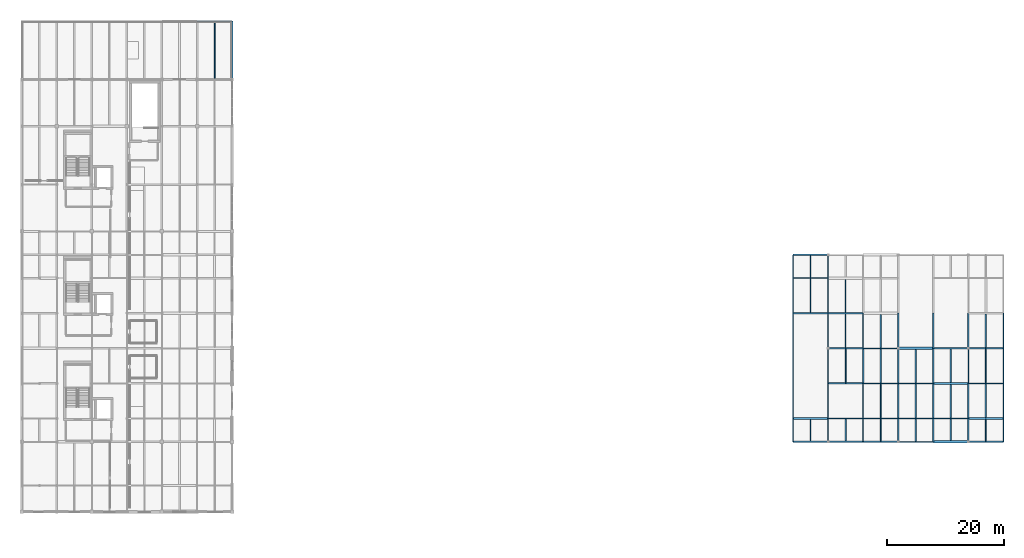
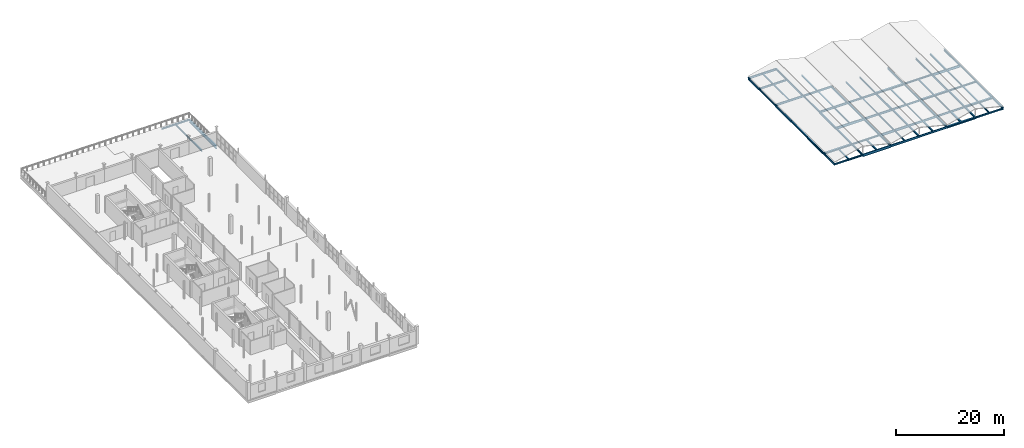
# One storey, part 22 of 35: 82 beams.
"""IFC4 building model written with IfcOpenShell, lengths in metres."""

from ifc_helpers import new_model, si_unit, direction, frame, origin, origin_2d, place, context, subcontext, project, spatial, i_section, extrude, material, material_profile, profile_set, type_object, element, save


model = new_model("IFC4")

# Units and contexts
model_context = context("Model", 3, precision=1e-05, world=origin(), true_north=direction((0.0, 1.0)))
body_context = subcontext(model_context, "Body", "Model", "MODEL_VIEW")
ifc_project = project(units=[si_unit("LENGTHUNIT", "METRE"), si_unit("AREAUNIT", "SQUARE_METRE"), si_unit("VOLUMEUNIT", "CUBIC_METRE"), si_unit("PLANEANGLEUNIT", "RADIAN"), si_unit("MASSUNIT", "GRAM", prefix="KILO")], contexts=[model_context])

# Site, building, storey
site_placement = place(None, origin())
site = spatial("IfcSite", under=ifc_project, at=site_placement, CompositionType="ELEMENT")
building_placement = place(site_placement, origin())
building = spatial("IfcBuilding", under=site, at=building_placement, Name="Verrall Gate Interchange", CompositionType="ELEMENT")
storey_placement = place(building_placement, frame((0.0, 0.0, 15.39990234375)))
storey = spatial("IfcBuildingStorey", under=building, at=storey_placement, Name="L04", CompositionType="ELEMENT", Elevation=15.39990234375)

# Beams
ifc_material_1 = material(Name="Structural Steel CSA G40.21 350WT Cat 4", Category="steel")
ifc_material_profile_1 = material_profile(ifc_material_1, i_section(OverallWidth=0.256103515625, OverallDepth=0.693115234375, WebThickness=0.01318359375, FlangeThickness=0.02001953125, FilletRadius=0.01611328125, at=origin_2d()), Name="W690x170")
ifc_profile_set_1 = profile_set([ifc_material_profile_1], Name="Structural Steel CSA G40.21 350WT Cat 4")
beam_type_1 = type_object("IfcBeamType", Name="B-07 Structural Beam W690x170", PredefinedType="BEAM", material=ifc_profile_set_1)
beam_1_placement = place(storey_placement, frame((36.0, 74.0, -0.676513671875), z_axis=(0.0, 1.0, 0.0), x_axis=(-1.0, 0.0, 0.0)))
element("IfcBeam", 1, at=beam_1_placement, inside=storey, type_object=beam_type_1, Name="L04 Girder BM-L04-2722 (B-07)", PredefinedType="BEAM", context=body_context, shape_type="SweptSolid", body=[
    extrude(i_section(OverallWidth=0.256103515625, OverallDepth=0.693115234375, WebThickness=0.01318359375, FlangeThickness=0.02001953125, FilletRadius=0.01611328125, at=origin_2d()), origin(), (0.0, 0.0, 1.0), 10.0),
])
ifc_material_2 = material(Name="Structural Steel CSA G40.21 350W", Category="steel")
ifc_material_profile_2 = material_profile(ifc_material_2, i_section(OverallWidth=0.2109375, OverallDepth=0.5390625, WebThickness=0.01171875, FlangeThickness=0.018798828125, FilletRadius=0.013916015625, at=origin_2d()), Name="W530x109")
ifc_profile_set_2 = profile_set([ifc_material_profile_2], Name="Structural Steel CSA G40.21 350W")
beam_type_2 = type_object("IfcBeamType", Name="B-10 Structural Beam W530x109", PredefinedType="BEAM", material=ifc_profile_set_2)
for number, where, z_axis, x_axis, name in (
    (2, (138.0, 12.0, -0.599365234375), (1.0, 0.0, 0.0), (0.0, 1.0, 0.0), "L04 Girder BM-L04-2535 (B-10)"),
    (3, (144.0, 16.0, -0.599365234375), (1.0, 0.0, 0.0), (0.0, 1.0, 0.0), "L04 Girder BM-L04-2546 (B-10)"),
    (4, (138.0, 22.0, -0.599365234375), (1.0, 0.0, 0.0), (0.0, 1.0, 0.0), "L04 Girder BM-L04-2556 (B-10)"),
    (5, (162.0, 28.0, -0.599365234375), (1.0, 0.0, 0.0), (0.0, 1.0, 0.0), "L04 Girder BM-L04-2571 (B-10)"),
):
    element("IfcBeam", number, at=place(storey_placement, frame(where, z_axis=z_axis, x_axis=x_axis)), inside=storey, type_object=beam_type_2, Name=name, PredefinedType="BEAM", context=body_context, shape_type="SweptSolid", body=[
        extrude(i_section(OverallWidth=0.2109375, OverallDepth=0.5390625, WebThickness=0.01171875, FlangeThickness=0.018798828125, FilletRadius=0.013916015625, at=origin_2d()), origin(), (0.0, 0.0, 1.0), 6.0),
    ])
ifc_material_3 = material(Name="Structural Steel CSA G40.21 350W", Category="steel")
ifc_material_profile_3 = material_profile(ifc_material_3, i_section(OverallWidth=0.19189453125, OverallDepth=0.462890625, WebThickness=0.010498046875, FlangeThickness=0.017578125, FilletRadius=0.012939453125, at=origin_2d()), Name="W460x89")
ifc_profile_set_3 = profile_set([ifc_material_profile_3], Name="Structural Steel CSA G40.21 350W")
beam_type_3 = type_object("IfcBeamType", Name="B-11 Structural Beam W460x89", PredefinedType="BEAM", material=ifc_profile_set_3)
for number, where, z_axis, x_axis, name in (
    (6, (144.0, 12.0, -0.5615234375), (1.0, 0.0, 0.0), (0.0, 1.0, 0.0), "L04 Girder BM-L04-2536 (B-11)"),
    (7, (150.0, 16.0, -0.5615234375), (1.0, 0.0, 0.0), (0.0, 1.0, 0.0), "L04 Girder BM-L04-2547 (B-11)"),
    (8, (144.0, 22.0, -0.5615234375), (1.0, 0.0, 0.0), (0.0, 1.0, 0.0), "L04 Girder BM-L04-2557 (B-11)"),
    (9, (138.0, 28.0, -0.5615234375), (1.0, 0.0, 0.0), (0.0, 1.0, 0.0), "L04 Girder BM-L04-2567 (B-11)"),
    (10, (132.0, 34.0, -0.5615234375), (1.0, 0.0, 0.0), (0.0, 1.0, 0.0), "L04 Girder BM-L04-2576 (B-11)"),
    (11, (132.0, 44.0, -0.5615234375), (1.0, 0.0, 0.0), (0.0, 1.0, 0.0), "L04 Girder BM-L04-2597 (B-11)"),
):
    element("IfcBeam", number, at=place(storey_placement, frame(where, z_axis=z_axis, x_axis=x_axis)), inside=storey, type_object=beam_type_3, Name=name, PredefinedType="BEAM", context=body_context, shape_type="SweptSolid", body=[
        extrude(i_section(OverallWidth=0.19189453125, OverallDepth=0.462890625, WebThickness=0.010498046875, FlangeThickness=0.017578125, FilletRadius=0.012939453125, at=origin_2d()), origin(), (0.0, 0.0, 1.0), 6.0),
    ])
beam_2_placement = place(storey_placement, frame((132.0, 12.0, -0.5615234375), z_axis=(0.0, 1.0, 0.0), x_axis=(-1.0, 0.0, 0.0)))
element("IfcBeam", 12, at=beam_2_placement, inside=storey, type_object=beam_type_3, Name="L04 Girder BM-L04-2723 (B-11)", PredefinedType="BEAM", context=body_context, shape_type="SweptSolid", body=[
    extrude(i_section(OverallWidth=0.19189453125, OverallDepth=0.462890625, WebThickness=0.010498046875, FlangeThickness=0.017578125, FilletRadius=0.012939453125, at=origin_2d()), origin(), (0.0, 0.0, 1.0), 4.0),
])
for number, where, z_axis, x_axis, name in (
    (13, (132.0, 16.0, -0.5615234375), (0.0, 1.0, 0.0), (-1.0, 0.0, 0.0), "L04 Girder BM-L04-2724 (B-11)"),
    (14, (132.0, 28.0, -0.5615234375), (0.0, 1.0, 0.0), (-1.0, 0.0, 0.0), "L04 Girder BM-L04-2726 (B-11)"),
):
    element("IfcBeam", number, at=place(storey_placement, frame(where, z_axis=z_axis, x_axis=x_axis)), inside=storey, type_object=beam_type_3, Name=name, PredefinedType="BEAM", context=body_context, shape_type="SweptSolid", body=[
        extrude(i_section(OverallWidth=0.19189453125, OverallDepth=0.462890625, WebThickness=0.010498046875, FlangeThickness=0.017578125, FilletRadius=0.012939453125, at=origin_2d()), origin(), (0.0, 0.0, 1.0), 6.0),
    ])
beam_3_placement = place(storey_placement, frame((132.0, 40.0, -0.5615234375), z_axis=(0.0, 1.0, 0.0), x_axis=(-1.0, 0.0, 0.0)))
element("IfcBeam", 15, at=beam_3_placement, inside=storey, type_object=beam_type_3, Name="L04 Girder BM-L04-2728 (B-11)", PredefinedType="BEAM", context=body_context, shape_type="SweptSolid", body=[
    extrude(i_section(OverallWidth=0.19189453125, OverallDepth=0.462890625, WebThickness=0.010498046875, FlangeThickness=0.017578125, FilletRadius=0.012939453125, at=origin_2d()), origin(), (0.0, 0.0, 1.0), 4.0),
])
for number, where, z_axis, x_axis, name in (
    (16, (138.0, 22.0, -0.5615234375), (0.0, 1.0, 0.0), (-1.0, 0.0, 0.0), "L04 Girder BM-L04-2731 (B-11)"),
    (17, (138.0, 34.0, -0.5615234375), (0.0, 1.0, 0.0), (-1.0, 0.0, 0.0), "L04 Girder BM-L04-2733 (B-11)"),
):
    element("IfcBeam", number, at=place(storey_placement, frame(where, z_axis=z_axis, x_axis=x_axis)), inside=storey, type_object=beam_type_3, Name=name, PredefinedType="BEAM", context=body_context, shape_type="SweptSolid", body=[
        extrude(i_section(OverallWidth=0.19189453125, OverallDepth=0.462890625, WebThickness=0.010498046875, FlangeThickness=0.017578125, FilletRadius=0.012939453125, at=origin_2d()), origin(), (0.0, 0.0, 1.0), 6.0),
    ])
beam_4_placement = place(storey_placement, frame((144.0, 12.0, -0.5615234375), z_axis=(0.0, 1.0, 0.0), x_axis=(-1.0, 0.0, 0.0)))
element("IfcBeam", 18, at=beam_4_placement, inside=storey, type_object=beam_type_3, Name="L04 Girder BM-L04-2735 (B-11)", PredefinedType="BEAM", context=body_context, shape_type="SweptSolid", body=[
    extrude(i_section(OverallWidth=0.19189453125, OverallDepth=0.462890625, WebThickness=0.010498046875, FlangeThickness=0.017578125, FilletRadius=0.012939453125, at=origin_2d()), origin(), (0.0, 0.0, 1.0), 4.0),
])
for number, where, z_axis, x_axis, name in (
    (19, (144.0, 16.0, -0.5615234375), (0.0, 1.0, 0.0), (-1.0, 0.0, 0.0), "L04 Girder BM-L04-2736 (B-11)"),
    (20, (144.0, 28.0, -0.5615234375), (0.0, 1.0, 0.0), (-1.0, 0.0, 0.0), "L04 Girder BM-L04-2738 (B-11)"),
    (21, (150.0, 22.0, -0.5615234375), (0.0, 1.0, 0.0), (-1.0, 0.0, 0.0), "L04 Girder BM-L04-2743 (B-11)"),
):
    element("IfcBeam", number, at=place(storey_placement, frame(where, z_axis=z_axis, x_axis=x_axis)), inside=storey, type_object=beam_type_3, Name=name, PredefinedType="BEAM", context=body_context, shape_type="SweptSolid", body=[
        extrude(i_section(OverallWidth=0.19189453125, OverallDepth=0.462890625, WebThickness=0.010498046875, FlangeThickness=0.017578125, FilletRadius=0.012939453125, at=origin_2d()), origin(), (0.0, 0.0, 1.0), 6.0),
    ])
beam_5_placement = place(storey_placement, frame((156.0, 12.0, -0.5615234375), z_axis=(0.0, 1.0, 0.0), x_axis=(-1.0, 0.0, 0.0)))
element("IfcBeam", 22, at=beam_5_placement, inside=storey, type_object=beam_type_3, Name="L04 Girder BM-L04-2747 (B-11)", PredefinedType="BEAM", context=body_context, shape_type="SweptSolid", body=[
    extrude(i_section(OverallWidth=0.19189453125, OverallDepth=0.462890625, WebThickness=0.010498046875, FlangeThickness=0.017578125, FilletRadius=0.012939453125, at=origin_2d()), origin(), (0.0, 0.0, 1.0), 4.0),
])
for number, where, z_axis, x_axis, name in (
    (23, (156.0, 16.0, -0.5615234375), (0.0, 1.0, 0.0), (-1.0, 0.0, 0.0), "L04 Girder BM-L04-2748 (B-11)"),
    (24, (156.0, 28.0, -0.5615234375), (0.0, 1.0, 0.0), (-1.0, 0.0, 0.0), "L04 Girder BM-L04-2750 (B-11)"),
    (25, (162.0, 22.0, -0.5615234375), (0.0, 1.0, 0.0), (-1.0, 0.0, 0.0), "L04 Girder BM-L04-2755 (B-11)"),
):
    element("IfcBeam", number, at=place(storey_placement, frame(where, z_axis=z_axis, x_axis=x_axis)), inside=storey, type_object=beam_type_3, Name=name, PredefinedType="BEAM", context=body_context, shape_type="SweptSolid", body=[
        extrude(i_section(OverallWidth=0.19189453125, OverallDepth=0.462890625, WebThickness=0.010498046875, FlangeThickness=0.017578125, FilletRadius=0.012939453125, at=origin_2d()), origin(), (0.0, 0.0, 1.0), 6.0),
    ])
beam_6_placement = place(storey_placement, frame((168.0, 12.0, -0.5615234375), z_axis=(0.0, 1.0, 0.0), x_axis=(-1.0, 0.0, 0.0)))
element("IfcBeam", 26, at=beam_6_placement, inside=storey, type_object=beam_type_3, Name="L04 Girder BM-L04-2759 (B-11)", PredefinedType="BEAM", context=body_context, shape_type="SweptSolid", body=[
    extrude(i_section(OverallWidth=0.19189453125, OverallDepth=0.462890625, WebThickness=0.010498046875, FlangeThickness=0.017578125, FilletRadius=0.012939453125, at=origin_2d()), origin(), (0.0, 0.0, 1.0), 4.0),
])
for number, where, z_axis, x_axis, name in (
    (27, (168.0, 16.0, -0.5615234375), (0.0, 1.0, 0.0), (-1.0, 0.0, 0.0), "L04 Girder BM-L04-2760 (B-11)"),
    (28, (168.0, 28.0, -0.5615234375), (0.0, 1.0, 0.0), (-1.0, 0.0, 0.0), "L04 Girder BM-L04-2762 (B-11)"),
):
    element("IfcBeam", number, at=place(storey_placement, frame(where, z_axis=z_axis, x_axis=x_axis)), inside=storey, type_object=beam_type_3, Name=name, PredefinedType="BEAM", context=body_context, shape_type="SweptSolid", body=[
        extrude(i_section(OverallWidth=0.19189453125, OverallDepth=0.462890625, WebThickness=0.010498046875, FlangeThickness=0.017578125, FilletRadius=0.012939453125, at=origin_2d()), origin(), (0.0, 0.0, 1.0), 6.0),
    ])
ifc_material_4 = material(Name="Structural Steel CSA G40.21 350W", Category="steel")
ifc_material_profile_4 = material_profile(ifc_material_4, i_section(OverallWidth=0.178955078125, OverallDepth=0.409912109375, WebThickness=0.0087890625, FlangeThickness=0.014404296875, FilletRadius=0.011962890625, at=origin_2d()), Name="W410x67")
ifc_profile_set_4 = profile_set([ifc_material_profile_4], Name="Structural Steel CSA G40.21 350W")
beam_type_4 = type_object("IfcBeamType", Name="B-12 Structural Beam W410x67", PredefinedType="BEAM", material=ifc_profile_set_4)
for number, where, z_axis, x_axis, name in (
    (29, (150.0, 12.0, -0.534912109375), (1.0, 0.0, 0.0), (0.0, 1.0, 0.0), "L04 Girder BM-L04-2537 (B-12)"),
    (30, (156.0, 16.0, -0.534912109375), (1.0, 0.0, 0.0), (0.0, 1.0, 0.0), "L04 Girder BM-L04-2548 (B-12)"),
    (31, (150.0, 22.0, -0.534912109375), (1.0, 0.0, 0.0), (0.0, 1.0, 0.0), "L04 Girder BM-L04-2558 (B-12)"),
    (32, (144.0, 28.0, -0.534912109375), (1.0, 0.0, 0.0), (0.0, 1.0, 0.0), "L04 Girder BM-L04-2568 (B-12)"),
    (33, (138.0, 34.0, -0.534912109375), (1.0, 0.0, 0.0), (0.0, 1.0, 0.0), "L04 Girder BM-L04-2577 (B-12)"),
    (34, (132.0, 40.0, -0.534912109375), (1.0, 0.0, 0.0), (0.0, 1.0, 0.0), "L04 Girder BM-L04-2586 (B-12)"),
):
    element("IfcBeam", number, at=place(storey_placement, frame(where, z_axis=z_axis, x_axis=x_axis)), inside=storey, type_object=beam_type_4, Name=name, PredefinedType="BEAM", context=body_context, shape_type="SweptSolid", body=[
        extrude(i_section(OverallWidth=0.178955078125, OverallDepth=0.409912109375, WebThickness=0.0087890625, FlangeThickness=0.014404296875, FilletRadius=0.011962890625, at=origin_2d()), origin(), (0.0, 0.0, 1.0), 6.0),
    ])
ifc_material_5 = material(Name="Structural Steel CSA G40.21 350W", Category="steel")
ifc_material_profile_5 = material_profile(ifc_material_5, i_section(OverallWidth=0.368896484375, OverallDepth=0.35595703125, WebThickness=0.01123046875, FlangeThickness=0.01806640625, FilletRadius=0.014892578125, at=origin_2d()), Name="W360x134")
ifc_profile_set_5 = profile_set([ifc_material_profile_5], Name="Structural Steel CSA G40.21 350W")
beam_type_5 = type_object("IfcBeamType", Name="B-13 Structural Beam W360x134", PredefinedType="BEAM", material=ifc_profile_set_5)
for number, where, z_axis, x_axis, name in (
    (35, (156.0, 12.0, -0.5078125), (1.0, 0.0, 0.0), (0.0, 1.0, 0.0), "L04 Girder BM-L04-2538 (B-13)"),
    (36, (132.0, 16.0, -0.5078125), (1.0, 0.0, 0.0), (0.0, 1.0, 0.0), "L04 Girder BM-L04-2544 (B-13)"),
    (37, (162.0, 16.0, -0.5078125), (1.0, 0.0, 0.0), (0.0, 1.0, 0.0), "L04 Girder BM-L04-2549 (B-13)"),
    (38, (156.0, 22.0, -0.5078125), (1.0, 0.0, 0.0), (0.0, 1.0, 0.0), "L04 Girder BM-L04-2559 (B-13)"),
    (39, (150.0, 28.0, -0.5078125), (1.0, 0.0, 0.0), (0.0, 1.0, 0.0), "L04 Girder BM-L04-2569 (B-13)"),
):
    element("IfcBeam", number, at=place(storey_placement, frame(where, z_axis=z_axis, x_axis=x_axis)), inside=storey, type_object=beam_type_5, Name=name, PredefinedType="BEAM", context=body_context, shape_type="SweptSolid", body=[
        extrude(i_section(OverallWidth=0.368896484375, OverallDepth=0.35595703125, WebThickness=0.01123046875, FlangeThickness=0.01806640625, FilletRadius=0.014892578125, at=origin_2d()), origin(), (0.0, 0.0, 1.0), 6.0),
    ])
ifc_material_6 = material(Name="Structural Steel CSA G40.21 350W", Category="steel")
ifc_material_profile_6 = material_profile(ifc_material_6, i_section(OverallWidth=0.205078125, OverallDepth=0.35400390625, WebThickness=0.009521484375, FlangeThickness=0.016845703125, FilletRadius=0.012939453125, at=origin_2d()), Name="W360x79")
ifc_profile_set_6 = profile_set([ifc_material_profile_6], Name="Structural Steel CSA G40.21 350W")
beam_type_6 = type_object("IfcBeamType", Name="B-14 Structural Beam W360x79", PredefinedType="BEAM", material=ifc_profile_set_6)
for number, where, z_axis, x_axis, name in (
    (40, (132.0, 12.0, -0.5068359375), (1.0, 0.0, 0.0), (0.0, 1.0, 0.0), "L04 Girder BM-L04-2534 (B-14)"),
    (41, (162.0, 12.0, -0.5068359375), (1.0, 0.0, 0.0), (0.0, 1.0, 0.0), "L04 Girder BM-L04-2539 (B-14)"),
    (42, (138.0, 16.0, -0.5068359375), (1.0, 0.0, 0.0), (0.0, 1.0, 0.0), "L04 Girder BM-L04-2545 (B-14)"),
    (43, (162.0, 22.0, -0.5068359375), (1.0, 0.0, 0.0), (0.0, 1.0, 0.0), "L04 Girder BM-L04-2560 (B-14)"),
    (44, (156.0, 28.0, -0.5068359375), (1.0, 0.0, 0.0), (0.0, 1.0, 0.0), "L04 Girder BM-L04-2570 (B-14)"),
    (45, (30.0, 84.0, -0.5068359375), (1.0, 0.0, 0.0), (0.0, 1.0, 0.0), "L04 Girder BM-L04-2630 (B-14)"),
    (46, (132.0, 22.0, -0.5068359375), (0.0, 1.0, 0.0), (-1.0, 0.0, 0.0), "L04 Girder BM-L04-2725 (B-14)"),
    (47, (132.0, 34.0, -0.5068359375), (0.0, 1.0, 0.0), (-1.0, 0.0, 0.0), "L04 Girder BM-L04-2727 (B-14)"),
):
    element("IfcBeam", number, at=place(storey_placement, frame(where, z_axis=z_axis, x_axis=x_axis)), inside=storey, type_object=beam_type_6, Name=name, PredefinedType="BEAM", context=body_context, shape_type="SweptSolid", body=[
        extrude(i_section(OverallWidth=0.205078125, OverallDepth=0.35400390625, WebThickness=0.009521484375, FlangeThickness=0.016845703125, FilletRadius=0.012939453125, at=origin_2d()), origin(), (0.0, 0.0, 1.0), 6.0),
    ])
beam_7_placement = place(storey_placement, frame((138.0, 12.0, -0.5068359375), z_axis=(0.0, 1.0, 0.0), x_axis=(-1.0, 0.0, 0.0)))
element("IfcBeam", 48, at=beam_7_placement, inside=storey, type_object=beam_type_6, Name="L04 Girder BM-L04-2729 (B-14)", PredefinedType="BEAM", context=body_context, shape_type="SweptSolid", body=[
    extrude(i_section(OverallWidth=0.205078125, OverallDepth=0.35400390625, WebThickness=0.009521484375, FlangeThickness=0.016845703125, FilletRadius=0.012939453125, at=origin_2d()), origin(), (0.0, 0.0, 1.0), 4.0),
])
for number, where, z_axis, x_axis, name in (
    (49, (138.0, 16.0, -0.5068359375), (0.0, 1.0, 0.0), (-1.0, 0.0, 0.0), "L04 Girder BM-L04-2730 (B-14)"),
    (50, (138.0, 28.0, -0.5068359375), (0.0, 1.0, 0.0), (-1.0, 0.0, 0.0), "L04 Girder BM-L04-2732 (B-14)"),
):
    element("IfcBeam", number, at=place(storey_placement, frame(where, z_axis=z_axis, x_axis=x_axis)), inside=storey, type_object=beam_type_6, Name=name, PredefinedType="BEAM", context=body_context, shape_type="SweptSolid", body=[
        extrude(i_section(OverallWidth=0.205078125, OverallDepth=0.35400390625, WebThickness=0.009521484375, FlangeThickness=0.016845703125, FilletRadius=0.012939453125, at=origin_2d()), origin(), (0.0, 0.0, 1.0), 6.0),
    ])
beam_8_placement = place(storey_placement, frame((138.0, 40.0, -0.5068359375), z_axis=(0.0, 1.0, 0.0), x_axis=(-1.0, 0.0, 0.0)))
element("IfcBeam", 51, at=beam_8_placement, inside=storey, type_object=beam_type_6, Name="L04 Girder BM-L04-2734 (B-14)", PredefinedType="BEAM", context=body_context, shape_type="SweptSolid", body=[
    extrude(i_section(OverallWidth=0.205078125, OverallDepth=0.35400390625, WebThickness=0.009521484375, FlangeThickness=0.016845703125, FilletRadius=0.012939453125, at=origin_2d()), origin(), (0.0, 0.0, 1.0), 4.0),
])
beam_9_placement = place(storey_placement, frame((144.0, 22.0, -0.5068359375), z_axis=(0.0, 1.0, 0.0), x_axis=(-1.0, 0.0, 0.0)))
element("IfcBeam", 52, at=beam_9_placement, inside=storey, type_object=beam_type_6, Name="L04 Girder BM-L04-2737 (B-14)", PredefinedType="BEAM", context=body_context, shape_type="SweptSolid", body=[
    extrude(i_section(OverallWidth=0.205078125, OverallDepth=0.35400390625, WebThickness=0.009521484375, FlangeThickness=0.016845703125, FilletRadius=0.012939453125, at=origin_2d()), origin(), (0.0, 0.0, 1.0), 6.0),
])
beam_10_placement = place(storey_placement, frame((150.0, 12.0, -0.5068359375), z_axis=(0.0, 1.0, 0.0), x_axis=(-1.0, 0.0, 0.0)))
element("IfcBeam", 53, at=beam_10_placement, inside=storey, type_object=beam_type_6, Name="L04 Girder BM-L04-2741 (B-14)", PredefinedType="BEAM", context=body_context, shape_type="SweptSolid", body=[
    extrude(i_section(OverallWidth=0.205078125, OverallDepth=0.35400390625, WebThickness=0.009521484375, FlangeThickness=0.016845703125, FilletRadius=0.012939453125, at=origin_2d()), origin(), (0.0, 0.0, 1.0), 4.0),
])
for number, where, z_axis, x_axis, name in (
    (54, (150.0, 16.0, -0.5068359375), (0.0, 1.0, 0.0), (-1.0, 0.0, 0.0), "L04 Girder BM-L04-2742 (B-14)"),
    (55, (150.0, 28.0, -0.5068359375), (0.0, 1.0, 0.0), (-1.0, 0.0, 0.0), "L04 Girder BM-L04-2744 (B-14)"),
    (56, (156.0, 22.0, -0.5068359375), (0.0, 1.0, 0.0), (-1.0, 0.0, 0.0), "L04 Girder BM-L04-2749 (B-14)"),
):
    element("IfcBeam", number, at=place(storey_placement, frame(where, z_axis=z_axis, x_axis=x_axis)), inside=storey, type_object=beam_type_6, Name=name, PredefinedType="BEAM", context=body_context, shape_type="SweptSolid", body=[
        extrude(i_section(OverallWidth=0.205078125, OverallDepth=0.35400390625, WebThickness=0.009521484375, FlangeThickness=0.016845703125, FilletRadius=0.012939453125, at=origin_2d()), origin(), (0.0, 0.0, 1.0), 6.0),
    ])
beam_11_placement = place(storey_placement, frame((162.0, 12.0, -0.5068359375), z_axis=(0.0, 1.0, 0.0), x_axis=(-1.0, 0.0, 0.0)))
element("IfcBeam", 57, at=beam_11_placement, inside=storey, type_object=beam_type_6, Name="L04 Girder BM-L04-2753 (B-14)", PredefinedType="BEAM", context=body_context, shape_type="SweptSolid", body=[
    extrude(i_section(OverallWidth=0.205078125, OverallDepth=0.35400390625, WebThickness=0.009521484375, FlangeThickness=0.016845703125, FilletRadius=0.012939453125, at=origin_2d()), origin(), (0.0, 0.0, 1.0), 4.0),
])
for number, where, z_axis, x_axis, name in (
    (58, (162.0, 16.0, -0.5068359375), (0.0, 1.0, 0.0), (-1.0, 0.0, 0.0), "L04 Girder BM-L04-2754 (B-14)"),
    (59, (162.0, 28.0, -0.5068359375), (0.0, 1.0, 0.0), (-1.0, 0.0, 0.0), "L04 Girder BM-L04-2756 (B-14)"),
    (60, (168.0, 22.0, -0.5068359375), (0.0, 1.0, 0.0), (-1.0, 0.0, 0.0), "L04 Girder BM-L04-2761 (B-14)"),
):
    element("IfcBeam", number, at=place(storey_placement, frame(where, z_axis=z_axis, x_axis=x_axis)), inside=storey, type_object=beam_type_6, Name=name, PredefinedType="BEAM", context=body_context, shape_type="SweptSolid", body=[
        extrude(i_section(OverallWidth=0.205078125, OverallDepth=0.35400390625, WebThickness=0.009521484375, FlangeThickness=0.016845703125, FilletRadius=0.012939453125, at=origin_2d()), origin(), (0.0, 0.0, 1.0), 6.0),
    ])
ifc_material_7 = material(Name="Structural Steel CSA G40.21 350W", Category="steel")
ifc_material_profile_7 = material_profile(ifc_material_7, i_section(OverallWidth=0.172119140625, OverallDepth=0.35791015625, WebThickness=0.0078125, FlangeThickness=0.01318359375, FilletRadius=0.010986328125, at=origin_2d()), Name="W360x57")
ifc_profile_set_7 = profile_set([ifc_material_profile_7], Name="Structural Steel CSA G40.21 350W")
beam_type_7 = type_object("IfcBeamType", Name="J-01 Floor Joist W360x57", PredefinedType="JOIST", material=ifc_profile_set_7)
beam_12_placement = place(storey_placement, frame((165.0, 12.1025390625, -0.5087890625), z_axis=(0.0, 1.0, 0.0), x_axis=(-1.0, 0.0, 0.0)))
element("IfcBeam", 61, at=beam_12_placement, inside=storey, type_object=beam_type_7, Name="L04 Secondary Floor Joist JST-L04-2784", PredefinedType="JOIST", context=body_context, shape_type="SweptSolid", body=[
    extrude(i_section(OverallWidth=0.172119140625, OverallDepth=0.35791015625, WebThickness=0.0078125, FlangeThickness=0.01318359375, FilletRadius=0.010986328125, at=origin_2d()), origin(), (0.0, 0.0, 1.0), 3.712890625),
])
for number, where, z_axis, x_axis, name in (
    (62, (147.0, 16.10546875, -0.5087890625), (0.0, 1.0, 0.0), (-1.0, 0.0, 0.0), "L04 Secondary Floor Joist JST-L04-2788"),
    (63, (141.0, 22.10546875, -0.5087890625), (0.0, 1.0, 0.0), (-1.0, 0.0, 0.0), "L04 Secondary Floor Joist JST-L04-2796"),
):
    element("IfcBeam", number, at=place(storey_placement, frame(where, z_axis=z_axis, x_axis=x_axis)), inside=storey, type_object=beam_type_7, Name=name, PredefinedType="JOIST", context=body_context, shape_type="SweptSolid", body=[
        extrude(i_section(OverallWidth=0.172119140625, OverallDepth=0.35791015625, WebThickness=0.0078125, FlangeThickness=0.01318359375, FilletRadius=0.010986328125, at=origin_2d()), origin(), (0.0, 0.0, 1.0), 5.798583984375),
    ])
beam_13_placement = place(storey_placement, frame((33.0, 74.1025390625, -0.5087890625), z_axis=(0.0, 1.0, 0.0), x_axis=(-1.0, 0.0, 0.0)))
element("IfcBeam", 64, at=beam_13_placement, inside=storey, type_object=beam_type_7, Name="L04 Secondary Floor Joist JST-L04-2845", PredefinedType="JOIST", context=body_context, shape_type="SweptSolid", body=[
    extrude(i_section(OverallWidth=0.172119140625, OverallDepth=0.35791015625, WebThickness=0.0078125, FlangeThickness=0.01318359375, FilletRadius=0.010986328125, at=origin_2d()), origin(), (0.0, 0.0, 1.0), 9.794921875),
])
ifc_material_8 = material(Name="Structural Steel CSA G40.21 350W", Category="steel")
ifc_material_profile_8 = material_profile(ifc_material_8, i_section(OverallWidth=0.306884765625, OverallDepth=0.31396484375, WebThickness=0.011962890625, FlangeThickness=0.018798828125, FilletRadius=0.013916015625, at=origin_2d()), Name="W310x118")
ifc_profile_set_8 = profile_set([ifc_material_profile_8], Name="Structural Steel CSA G40.21 350W")
beam_type_8 = type_object("IfcBeamType", Name="J-02 Floor Joist W310x118", PredefinedType="JOIST", material=ifc_profile_set_8)
beam_14_placement = place(storey_placement, frame((159.0, 12.1845703125, -0.48681640625), z_axis=(0.0, 1.0, 0.0), x_axis=(-1.0, 0.0, 0.0)))
element("IfcBeam", 65, at=beam_14_placement, inside=storey, type_object=beam_type_8, Name="L04 Secondary Floor Joist JST-L04-2783", PredefinedType="JOIST", context=body_context, shape_type="SweptSolid", body=[
    extrude(i_section(OverallWidth=0.306884765625, OverallDepth=0.31396484375, WebThickness=0.011962890625, FlangeThickness=0.018798828125, FilletRadius=0.013916015625, at=origin_2d()), origin(), (0.0, 0.0, 1.0), 3.725830078125),
])
ifc_material_9 = material(Name="Structural Steel CSA G40.21 350W", Category="steel")
ifc_material_profile_9 = material_profile(ifc_material_9, i_section(OverallWidth=0.25390625, OverallDepth=0.305908203125, WebThickness=0.0087890625, FlangeThickness=0.0146484375, FilletRadius=0.012939453125, at=origin_2d()), Name="W310x79")
ifc_profile_set_9 = profile_set([ifc_material_profile_9], Name="Structural Steel CSA G40.21 350W")
beam_type_9 = type_object("IfcBeamType", Name="J-03 Floor Joist W310x79", PredefinedType="JOIST", material=ifc_profile_set_9)
beam_15_placement = place(storey_placement, frame((153.0, 12.089599609375, -0.48291015625), z_axis=(0.0, 1.0, 0.0), x_axis=(-1.0, 0.0, 0.0)))
element("IfcBeam", 66, at=beam_15_placement, inside=storey, type_object=beam_type_9, Name="L04 Secondary Floor Joist JST-L04-2782", PredefinedType="JOIST", context=body_context, shape_type="SweptSolid", body=[
    extrude(i_section(OverallWidth=0.25390625, OverallDepth=0.305908203125, WebThickness=0.0087890625, FlangeThickness=0.0146484375, FilletRadius=0.012939453125, at=origin_2d()), origin(), (0.0, 0.0, 1.0), 3.814453125),
])
beam_16_placement = place(storey_placement, frame((165.0, 28.10546875, -0.48291015625), z_axis=(0.0, 1.0, 0.0), x_axis=(-1.0, 0.0, 0.0)))
element("IfcBeam", 67, at=beam_16_placement, inside=storey, type_object=beam_type_9, Name="L04 Secondary Floor Joist JST-L04-2807", PredefinedType="JOIST", context=body_context, shape_type="SweptSolid", body=[
    extrude(i_section(OverallWidth=0.25390625, OverallDepth=0.305908203125, WebThickness=0.0087890625, FlangeThickness=0.0146484375, FilletRadius=0.012939453125, at=origin_2d()), origin(), (0.0, 0.0, 1.0), 5.798583984375),
])
ifc_material_10 = material(Name="Structural Steel CSA G40.21 350W", Category="steel")
ifc_material_profile_10 = material_profile(ifc_material_10, i_section(OverallWidth=0.1650390625, OverallDepth=0.31005859375, WebThickness=0.005859375, FlangeThickness=0.009765625, FilletRadius=0.010009765625, at=origin_2d()), Name="W310x39")
ifc_profile_set_10 = profile_set([ifc_material_profile_10], Name="Structural Steel CSA G40.21 350W")
beam_type_10 = type_object("IfcBeamType", Name="J-04 Floor Joist W310x39", PredefinedType="JOIST", material=ifc_profile_set_10)
beam_17_placement = place(storey_placement, frame((147.0, 12.095947265625, -0.48486328125), z_axis=(0.0, 1.0, 0.0), x_axis=(-1.0, 0.0, 0.0)))
element("IfcBeam", 68, at=beam_17_placement, inside=storey, type_object=beam_type_10, Name="L04 Secondary Floor Joist JST-L04-2781", PredefinedType="JOIST", context=body_context, shape_type="SweptSolid", body=[
    extrude(i_section(OverallWidth=0.1650390625, OverallDepth=0.31005859375, WebThickness=0.005859375, FlangeThickness=0.009765625, FilletRadius=0.010009765625, at=origin_2d()), origin(), (0.0, 0.0, 1.0), 3.798583984375),
])
beam_18_placement = place(storey_placement, frame((165.0, 22.1025390625, -0.48486328125), z_axis=(0.0, 1.0, 0.0), x_axis=(-1.0, 0.0, 0.0)))
element("IfcBeam", 69, at=beam_18_placement, inside=storey, type_object=beam_type_10, Name="L04 Secondary Floor Joist JST-L04-2800", PredefinedType="JOIST", context=body_context, shape_type="SweptSolid", body=[
    extrude(i_section(OverallWidth=0.1650390625, OverallDepth=0.31005859375, WebThickness=0.005859375, FlangeThickness=0.009765625, FilletRadius=0.010009765625, at=origin_2d()), origin(), (0.0, 0.0, 1.0), 5.7919921875),
])
ifc_material_11 = material(Name="Structural Steel CSA G40.21 350W", Category="steel")
ifc_material_profile_11 = material_profile(ifc_material_11, i_section(OverallWidth=0.25390625, OverallDepth=0.2529296875, WebThickness=0.008544921875, FlangeThickness=0.01416015625, FilletRadius=0.011962890625, at=origin_2d()), Name="W250x73")
ifc_profile_set_11 = profile_set([ifc_material_profile_11], Name="Structural Steel CSA G40.21 350W")
beam_type_11 = type_object("IfcBeamType", Name="J-05 Floor Joist W250x73", PredefinedType="JOIST", material=ifc_profile_set_11)
beam_19_placement = place(storey_placement, frame((141.0, 12.10546875, -0.456298828125), z_axis=(0.0, 1.0, 0.0), x_axis=(-1.0, 0.0, 0.0)))
element("IfcBeam", 70, at=beam_19_placement, inside=storey, type_object=beam_type_11, Name="L04 Secondary Floor Joist JST-L04-2780", PredefinedType="JOIST", context=body_context, shape_type="SweptSolid", body=[
    extrude(i_section(OverallWidth=0.25390625, OverallDepth=0.2529296875, WebThickness=0.008544921875, FlangeThickness=0.01416015625, FilletRadius=0.011962890625, at=origin_2d()), origin(), (0.0, 0.0, 1.0), 3.7919921875),
])
for number, where, z_axis, x_axis, name in (
    (71, (165.0, 16.1845703125, -0.456298828125), (0.0, 1.0, 0.0), (-1.0, 0.0, 0.0), "L04 Secondary Floor Joist JST-L04-2791"),
    (72, (159.0, 22.1845703125, -0.456298828125), (0.0, 1.0, 0.0), (-1.0, 0.0, 0.0), "L04 Secondary Floor Joist JST-L04-2799"),
):
    element("IfcBeam", number, at=place(storey_placement, frame(where, z_axis=z_axis, x_axis=x_axis)), inside=storey, type_object=beam_type_11, Name=name, PredefinedType="JOIST", context=body_context, shape_type="SweptSolid", body=[
        extrude(i_section(OverallWidth=0.25390625, OverallDepth=0.2529296875, WebThickness=0.008544921875, FlangeThickness=0.01416015625, FilletRadius=0.011962890625, at=origin_2d()), origin(), (0.0, 0.0, 1.0), 5.712890625),
    ])
ifc_material_12 = material(Name="Structural Steel CSA G40.21 350W", Category="steel")
ifc_material_profile_12 = material_profile(ifc_material_12, i_section(OverallWidth=0.201904296875, OverallDepth=0.2470703125, WebThickness=0.00732421875, FlangeThickness=0.010986328125, FilletRadius=0.010986328125, at=origin_2d()), Name="W250x49")
ifc_profile_set_12 = profile_set([ifc_material_profile_12], Name="Structural Steel CSA G40.21 350W")
beam_type_12 = type_object("IfcBeamType", Name="J-06 Floor Joist W250x49", PredefinedType="JOIST", material=ifc_profile_set_12)
beam_20_placement = place(storey_placement, frame((135.0, 12.1025390625, -0.453369140625), z_axis=(0.0, 1.0, 0.0), x_axis=(-1.0, 0.0, 0.0)))
element("IfcBeam", 73, at=beam_20_placement, inside=storey, type_object=beam_type_12, Name="L04 Secondary Floor Joist JST-L04-2779", PredefinedType="JOIST", context=body_context, shape_type="SweptSolid", body=[
    extrude(i_section(OverallWidth=0.201904296875, OverallDepth=0.2470703125, WebThickness=0.00732421875, FlangeThickness=0.010986328125, FilletRadius=0.010986328125, at=origin_2d()), origin(), (0.0, 0.0, 1.0), 3.712890625),
])
for number, where, z_axis, x_axis, name in (
    (74, (159.0, 16.089599609375, -0.453369140625), (0.0, 1.0, 0.0), (-1.0, 0.0, 0.0), "L04 Secondary Floor Joist JST-L04-2790"),
    (75, (153.0, 22.089599609375, -0.453369140625), (0.0, 1.0, 0.0), (-1.0, 0.0, 0.0), "L04 Secondary Floor Joist JST-L04-2798"),
    (76, (147.0, 28.089599609375, -0.453369140625), (0.0, 1.0, 0.0), (-1.0, 0.0, 0.0), "L04 Secondary Floor Joist JST-L04-2806"),
    (77, (141.0, 34.089599609375, -0.453369140625), (0.0, 1.0, 0.0), (-1.0, 0.0, 0.0), "L04 Secondary Floor Joist JST-L04-2812"),
):
    element("IfcBeam", number, at=place(storey_placement, frame(where, z_axis=z_axis, x_axis=x_axis)), inside=storey, type_object=beam_type_12, Name=name, PredefinedType="JOIST", context=body_context, shape_type="SweptSolid", body=[
        extrude(i_section(OverallWidth=0.201904296875, OverallDepth=0.2470703125, WebThickness=0.00732421875, FlangeThickness=0.010986328125, FilletRadius=0.010986328125, at=origin_2d()), origin(), (0.0, 0.0, 1.0), 5.725830078125),
    ])
beam_21_placement = place(storey_placement, frame((135.0, 40.089599609375, -0.453369140625), z_axis=(0.0, 1.0, 0.0), x_axis=(-1.0, 0.0, 0.0)))
element("IfcBeam", 78, at=beam_21_placement, inside=storey, type_object=beam_type_12, Name="L04 Secondary Floor Joist JST-L04-2819", PredefinedType="JOIST", context=body_context, shape_type="SweptSolid", body=[
    extrude(i_section(OverallWidth=0.201904296875, OverallDepth=0.2470703125, WebThickness=0.00732421875, FlangeThickness=0.010986328125, FilletRadius=0.010986328125, at=origin_2d()), origin(), (0.0, 0.0, 1.0), 3.814453125),
])
ifc_material_13 = material(Name="Structural Steel CSA G40.21 350W", Category="steel")
ifc_material_profile_13 = material_profile(ifc_material_13, i_section(OverallWidth=0.202880859375, OverallDepth=0.202880859375, WebThickness=0.007080078125, FlangeThickness=0.010986328125, FilletRadius=0.010009765625, at=origin_2d()), Name="W200x46")
ifc_profile_set_13 = profile_set([ifc_material_profile_13], Name="Structural Steel CSA G40.21 350W")
beam_type_13 = type_object("IfcBeamType", Name="J-07 Floor Joist W200x46", PredefinedType="JOIST", material=ifc_profile_set_13)
for number, where, z_axis, x_axis, name in (
    (79, (153.0, 16.095947265625, -0.431396484375), (0.0, 1.0, 0.0), (-1.0, 0.0, 0.0), "L04 Secondary Floor Joist JST-L04-2789"),
    (80, (147.0, 22.095947265625, -0.431396484375), (0.0, 1.0, 0.0), (-1.0, 0.0, 0.0), "L04 Secondary Floor Joist JST-L04-2797"),
    (81, (141.0, 28.095947265625, -0.431396484375), (0.0, 1.0, 0.0), (-1.0, 0.0, 0.0), "L04 Secondary Floor Joist JST-L04-2805"),
    (82, (135.0, 34.095947265625, -0.431396484375), (0.0, 1.0, 0.0), (-1.0, 0.0, 0.0), "L04 Secondary Floor Joist JST-L04-2811"),
):
    element("IfcBeam", number, at=place(storey_placement, frame(where, z_axis=z_axis, x_axis=x_axis)), inside=storey, type_object=beam_type_13, Name=name, PredefinedType="JOIST", context=body_context, shape_type="SweptSolid", body=[
        extrude(i_section(OverallWidth=0.202880859375, OverallDepth=0.202880859375, WebThickness=0.007080078125, FlangeThickness=0.010986328125, FilletRadius=0.010009765625, at=origin_2d()), origin(), (0.0, 0.0, 1.0), 5.814453125),
    ])

save(model, "model.ifc")
